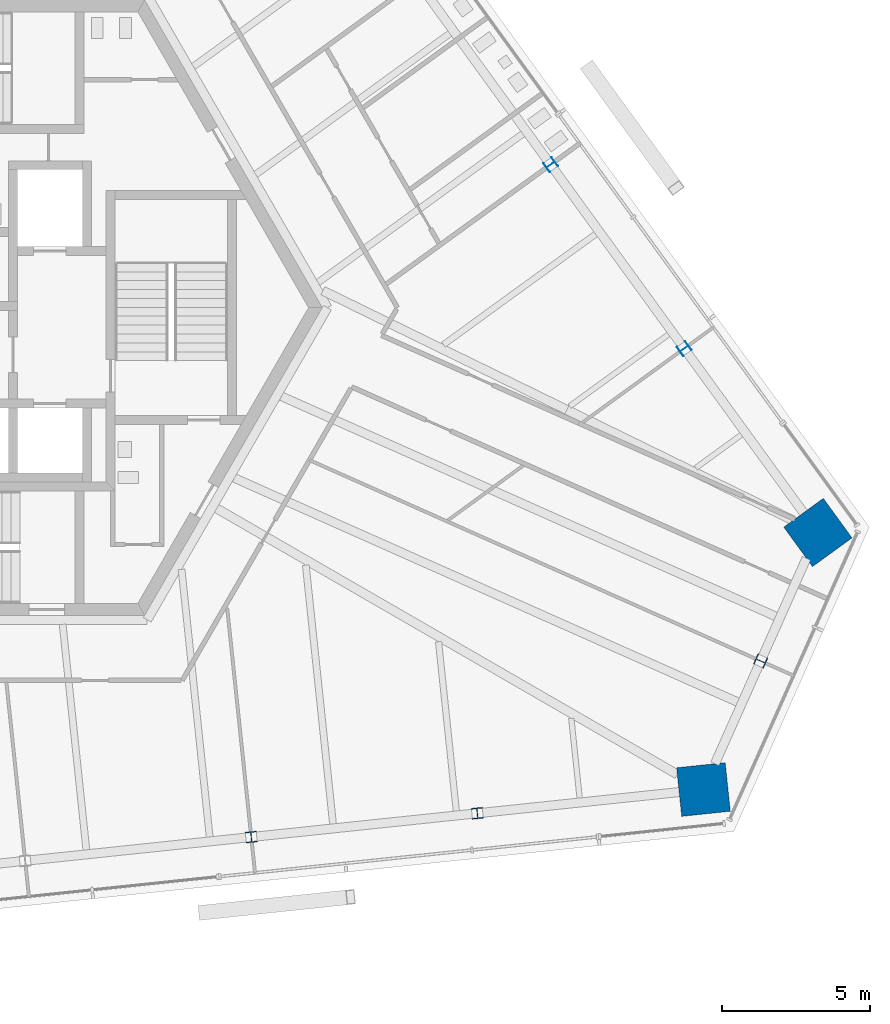
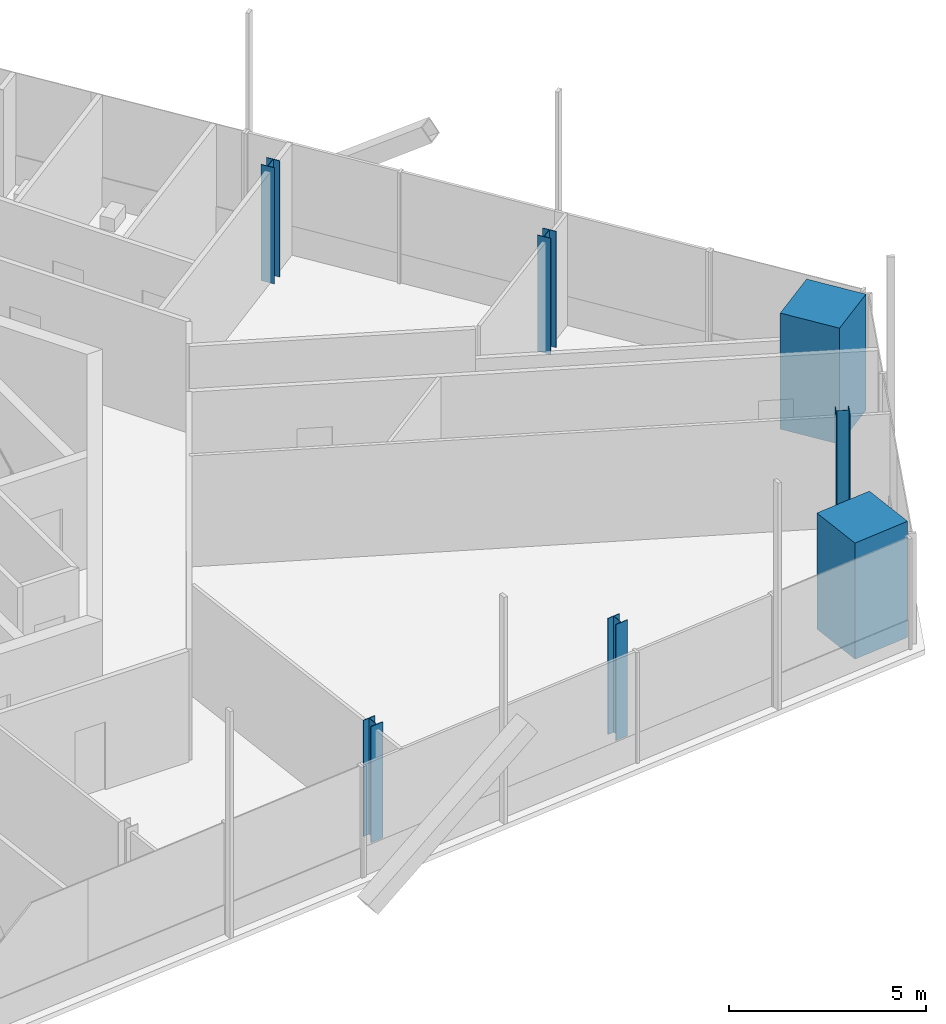
# One storey, part 2 of 21: 7 columns.
"""IFC4 building model written with IfcOpenShell, lengths in metres."""

from ifc_helpers import new_model, si_unit, direction, frame, origin, origin_2d, place, context, subcontext, project, spatial, rectangle, i_section, extrude, source, transform, mapped, material, material_profile, profile_set, type_object, element, save


model = new_model("IFC4")

# Units and contexts
model_context = context("Model", 3, precision=1e-05, world=origin(), true_north=direction((0.0, 1.0)))
body_context = subcontext(model_context, "Body", "Model", "MODEL_VIEW")
ifc_project = project(units=[si_unit("LENGTHUNIT", "METRE"), si_unit("AREAUNIT", "SQUARE_METRE"), si_unit("VOLUMEUNIT", "CUBIC_METRE"), si_unit("PLANEANGLEUNIT", "RADIAN"), si_unit("MASSUNIT", "GRAM", prefix="KILO")], contexts=[model_context])

# Site, building, storey
site_placement = place(None, origin())
site = spatial("IfcSite", under=ifc_project, at=site_placement, CompositionType="ELEMENT")
building_placement = place(site_placement, origin())
building = spatial("IfcBuilding", under=site, at=building_placement, Name="Triune Harvest Tower", CompositionType="ELEMENT")
storey_placement = place(building_placement, frame((0.0, 0.0, 241.300048828125)))
storey = spatial("IfcBuildingStorey", under=building, at=storey_placement, Name="L63", CompositionType="ELEMENT", Elevation=241.300048828125)

# Columns
ifc_material_1 = material(Name="Concrete 70 MPa", Category="concrete")
ifc_material_profile_1 = material_profile(ifc_material_1, rectangle(XDim=1.64990234375, YDim=1.64990234375, at=origin_2d()), Name="Composite 1650x1650")
ifc_profile_set_1 = profile_set([ifc_material_profile_1], Name="Concrete 70 MPa")
column_type_1 = type_object("IfcColumnType", Name="MC-6 Mega column Composite 1650x1650", PredefinedType="COLUMN", material=ifc_profile_set_1)
shared_shape_1 = source(origin(), body_context, "Body", "SweptSolid", [
    extrude(rectangle(XDim=1.64990234375, YDim=1.64990234375, at=origin_2d()), origin(), (0.0, 0.0, 1.0), 3.599853515625),
])
for number, where, z_axis, x_axis, name in (
    (1, (28.741455078125, -7.59521484375, 0.0), (0.0, 0.0, 1.0), (-0.587785252292, 0.809016994375, 0.0), "col/L63/M0"),
    (2, (24.8759765625, -16.27685546875, 0.0), (0.0, 0.0, 1.0), (0.99452171293, 0.104530199036, 0.0), "col/L63/M22"),
):
    element("IfcColumn", number, at=place(storey_placement, frame(where, z_axis=z_axis, x_axis=x_axis)), inside=storey, type_object=column_type_1, Name=name, PredefinedType="COLUMN", context=body_context, shape_type="MappedRepresentation", body=[
        mapped(shared_shape_1, transform((0.0, 0.0, 0.0), scale=1.0)),
    ])
ifc_material_2 = material(Name="Steel ASTM A992 Gr 50", Category="steel")
ifc_material_profile_2 = material_profile(ifc_material_2, i_section(OverallWidth=0.368408203125, OverallDepth=0.355712890625, WebThickness=0.01123046875, FlangeThickness=0.01806640625, at=origin_2d()), Name="W14x90")
ifc_profile_set_2 = profile_set([ifc_material_profile_2], Name="Steel ASTM A992 Gr 50")
column_type_2 = type_object("IfcColumnType", Name="PC-6 Perimeter column W14x90", PredefinedType="COLUMN", material=ifc_profile_set_2)
shared_shape_2 = source(origin(), body_context, "Body", "SweptSolid", [
    extrude(i_section(OverallWidth=0.368408203125, OverallDepth=0.355712890625, WebThickness=0.01123046875, FlangeThickness=0.01806640625, at=origin_2d()), origin(), (0.0, 0.0, 1.0), 3.599853515625),
])
for number, where, z_axis, x_axis, name in (
    (3, (24.2275390625, -1.38232421875, 0.0), (0.0, 0.0, 1.0), (-0.587785252292, 0.809016994375, 0.0), "col/L63/P1"),
    (4, (19.713623046875, 4.83056640625, 0.0), (0.0, 0.0, 1.0), (-0.587785252292, 0.809016994375, 0.0), "col/L63/P2"),
    (5, (9.601318359375, -17.88232421875, 0.0), (0.0, 0.0, 1.0), (0.99452171293, 0.104530199036, 0.0), "col/L63/P20"),
    (6, (17.238525390625, -17.07958984375, 0.0), (0.0, 0.0, 1.0), (0.99452171293, 0.104530199036, 0.0), "col/L63/P21"),
    (7, (26.80859375, -11.93603515625, 0.0), (0.0, 0.0, 1.0), (0.406741426383, 0.913543327962, 0.0), "col/L63/P23"),
):
    element("IfcColumn", number, at=place(storey_placement, frame(where, z_axis=z_axis, x_axis=x_axis)), inside=storey, type_object=column_type_2, Name=name, PredefinedType="COLUMN", context=body_context, shape_type="MappedRepresentation", body=[
        mapped(shared_shape_2, transform((0.0, 0.0, 0.0), scale=1.0)),
    ])

save(model, "model.ifc")
